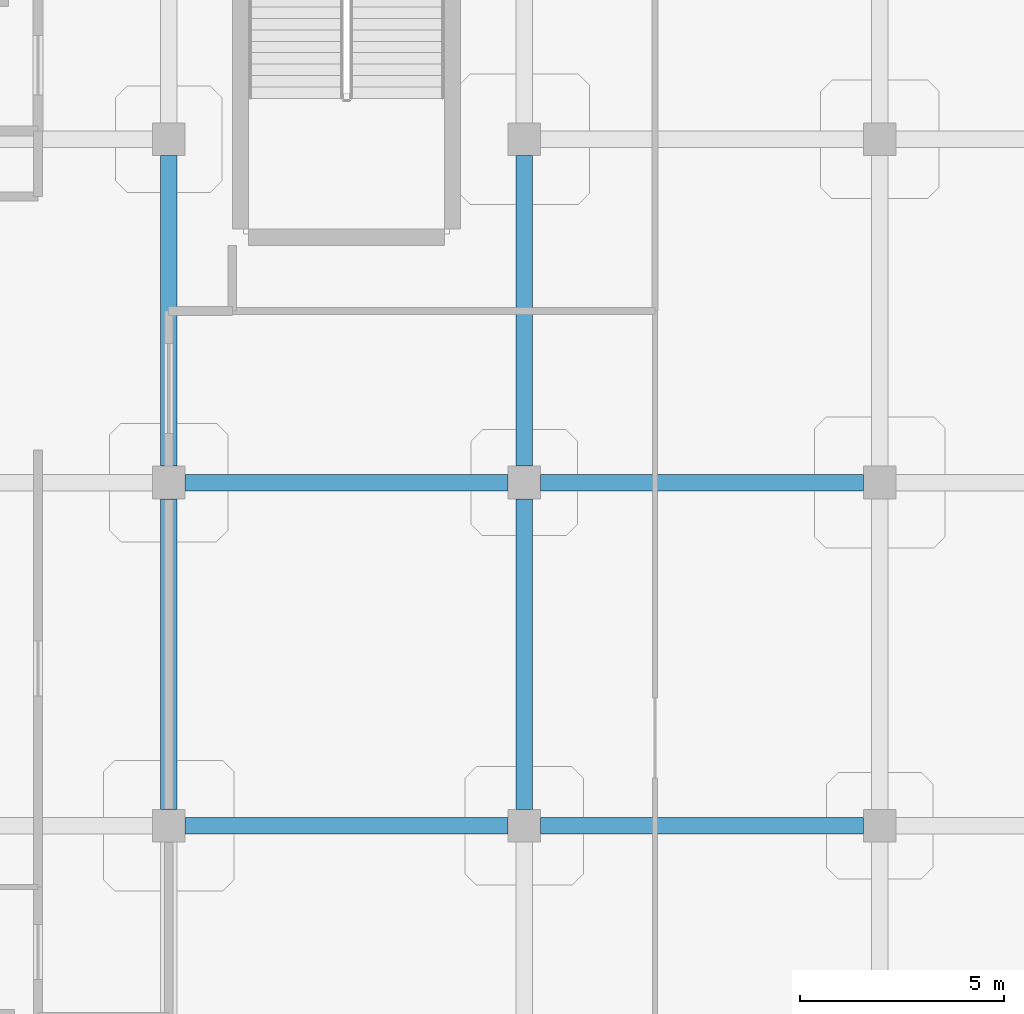
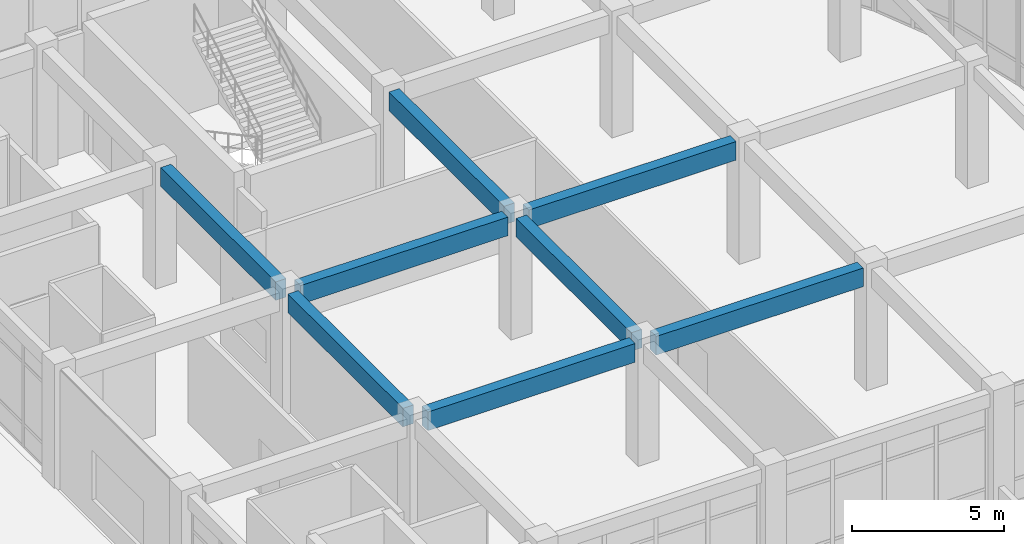
# One storey, part 64 of 124: 8 beams.
"""IFC4 building model written with IfcOpenShell, lengths in metres."""

from ifc_helpers import new_model, si_unit, derived_unit, direction, frame, origin, origin_2d, place, context, subcontext, project, spatial, rectangle, extrude, material, material_profile, profile_set, type_object, element, save


model = new_model("IFC4")

# Units and contexts
model_context = context("Model", 3, precision=1e-05, world=origin(), true_north=direction((0.0, 1.0)))
body_context = subcontext(model_context, "Body", "Model", "MODEL_VIEW")
ifc_project = project(units=[si_unit("LENGTHUNIT", "METRE"), si_unit("AREAUNIT", "SQUARE_METRE"), si_unit("VOLUMEUNIT", "CUBIC_METRE"), si_unit("PLANEANGLEUNIT", "RADIAN"), si_unit("MASSUNIT", "GRAM", prefix="KILO"), derived_unit("THERMALTRANSMITTANCEUNIT", [(si_unit("MASSUNIT", "GRAM", prefix="KILO"), 1), (si_unit("TIMEUNIT", "SECOND"), -3), (si_unit("THERMODYNAMICTEMPERATUREUNIT", "KELVIN"), -1)])], contexts=[model_context])

# Site, building, storey
site_placement = place(None, origin())
site = spatial("IfcSite", under=ifc_project, at=site_placement, CompositionType="ELEMENT")
building_placement = place(site_placement, origin())
building = spatial("IfcBuilding", under=site, at=building_placement, Name="Qinzheling Arcade Emporium", CompositionType="ELEMENT")
storey_placement = place(building_placement, frame((0.0, 0.0, 16.5)))
storey = spatial("IfcBuildingStorey", under=building, at=storey_placement, Name="L04", CompositionType="ELEMENT", Elevation=16.5)

# Beams
ifc_material = material(Name="Concrete C40", Category="concrete")
ifc_material_profile = material_profile(ifc_material, rectangle(XDim=0.39990234375, YDim=0.75, at=origin_2d()), Name="RC 400x750", Category="concrete")
ifc_profile_set = profile_set([ifc_material_profile], Name="Concrete C40")
beam_type = type_object("IfcBeamType", Name="RC Interior Tie Beam 400x750 C40", PredefinedType="BEAM", material=ifc_profile_set)
beam_1_placement = place(storey_placement, frame((113.5, 82.199951171875, 4.4599609375), z_axis=(1.0, 0.0, 0.0), x_axis=(0.0, 1.0, 0.0)))
element("IfcBeam", 1, at=beam_1_placement, inside=storey, type_object=beam_type, Name="Beam BM-L04-X-K-14", PredefinedType="BEAM", context=body_context, shape_type="SweptSolid", body=[
    extrude(rectangle(XDim=0.39990234375, YDim=0.75, at=origin_2d()), origin(), (0.0, 0.0, 1.0), 7.89990234375),
])
beam_2_placement = place(storey_placement, frame((122.199951171875, 82.199951171875, 4.4599609375), z_axis=(1.0, 0.0, 0.0), x_axis=(0.0, 1.0, 0.0)))
element("IfcBeam", 2, at=beam_2_placement, inside=storey, type_object=beam_type, Name="Beam BM-L04-X-K-15", PredefinedType="BEAM", context=body_context, shape_type="SweptSolid", body=[
    extrude(rectangle(XDim=0.39990234375, YDim=0.75, at=origin_2d()), origin(), (0.0, 0.0, 1.0), 7.900146484375),
])
beam_3_placement = place(storey_placement, frame((113.5, 90.60009765625, 4.4599609375), z_axis=(1.0, 0.0, 0.0), x_axis=(0.0, 1.0, 0.0)))
element("IfcBeam", 3, at=beam_3_placement, inside=storey, type_object=beam_type, Name="Beam BM-L04-X-L-14", PredefinedType="BEAM", context=body_context, shape_type="SweptSolid", body=[
    extrude(rectangle(XDim=0.39990234375, YDim=0.75, at=origin_2d()), origin(), (0.0, 0.0, 1.0), 7.89990234375),
])
beam_4_placement = place(storey_placement, frame((122.199951171875, 90.60009765625, 4.4599609375), z_axis=(1.0, 0.0, 0.0), x_axis=(0.0, 1.0, 0.0)))
element("IfcBeam", 4, at=beam_4_placement, inside=storey, type_object=beam_type, Name="Beam BM-L04-X-L-15", PredefinedType="BEAM", context=body_context, shape_type="SweptSolid", body=[
    extrude(rectangle(XDim=0.39990234375, YDim=0.75, at=origin_2d()), origin(), (0.0, 0.0, 1.0), 7.900146484375),
])
beam_5_placement = place(storey_placement, frame((113.10009765625, 82.60009765625, 4.4599609375), z_axis=(0.0, 1.0, 0.0), x_axis=(-1.0, 0.0, 0.0)))
element("IfcBeam", 5, at=beam_5_placement, inside=storey, type_object=beam_type, Name="Beam BM-L04-Y-14-K", PredefinedType="BEAM", context=body_context, shape_type="SweptSolid", body=[
    extrude(rectangle(XDim=0.39990234375, YDim=0.75, at=origin_2d()), origin(), (0.0, 0.0, 1.0), 7.599853515625),
])
beam_6_placement = place(storey_placement, frame((113.10009765625, 91.0, 4.4599609375), z_axis=(0.0, 1.0, 0.0), x_axis=(-1.0, 0.0, 0.0)))
element("IfcBeam", 6, at=beam_6_placement, inside=storey, type_object=beam_type, Name="Beam BM-L04-Y-14-L", PredefinedType="BEAM", context=body_context, shape_type="SweptSolid", body=[
    extrude(rectangle(XDim=0.39990234375, YDim=0.75, at=origin_2d()), origin(), (0.0, 0.0, 1.0), 7.60009765625),
])
beam_7_placement = place(storey_placement, frame((121.800048828125, 82.60009765625, 4.4599609375), z_axis=(0.0, 1.0, 0.0), x_axis=(-1.0, 0.0, 0.0)))
element("IfcBeam", 7, at=beam_7_placement, inside=storey, type_object=beam_type, Name="Beam BM-L04-Y-15-K", PredefinedType="BEAM", context=body_context, shape_type="SweptSolid", body=[
    extrude(rectangle(XDim=0.39990234375, YDim=0.75, at=origin_2d()), origin(), (0.0, 0.0, 1.0), 7.599853515625),
])
beam_8_placement = place(storey_placement, frame((121.800048828125, 91.0, 4.4599609375), z_axis=(0.0, 1.0, 0.0), x_axis=(-1.0, 0.0, 0.0)))
element("IfcBeam", 8, at=beam_8_placement, inside=storey, type_object=beam_type, Name="Beam BM-L04-Y-15-L", PredefinedType="BEAM", context=body_context, shape_type="SweptSolid", body=[
    extrude(rectangle(XDim=0.39990234375, YDim=0.75, at=origin_2d()), origin(), (0.0, 0.0, 1.0), 7.60009765625),
])

save(model, "model.ifc")
